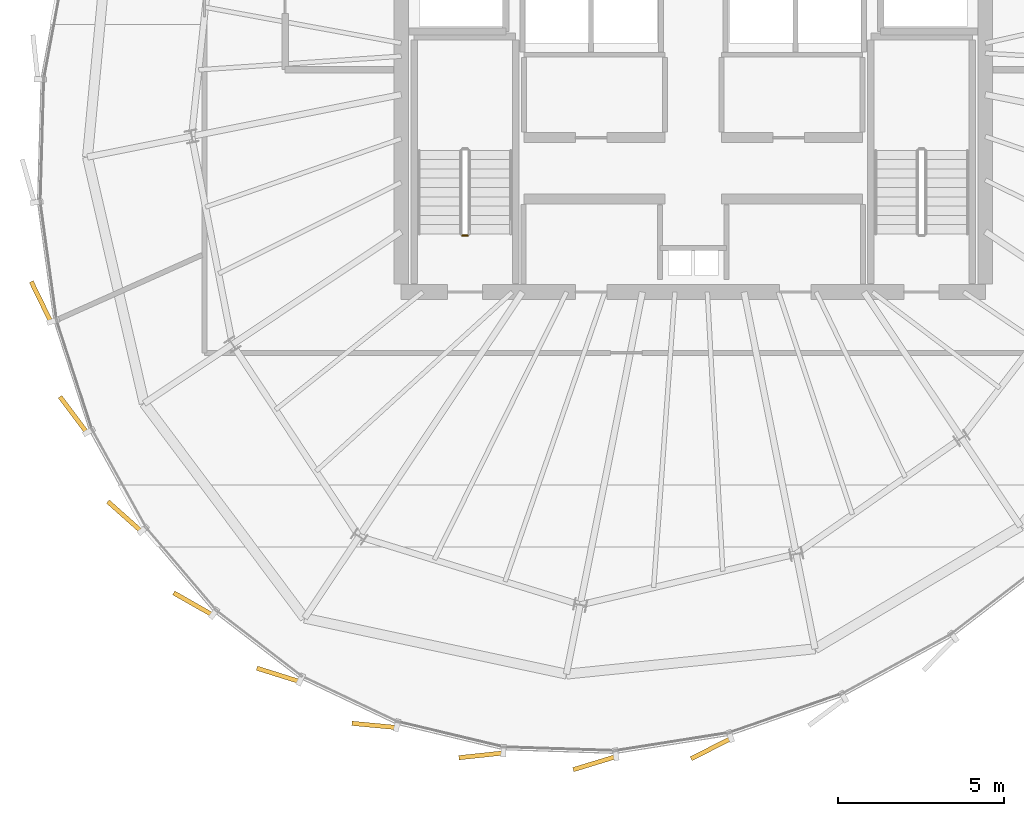
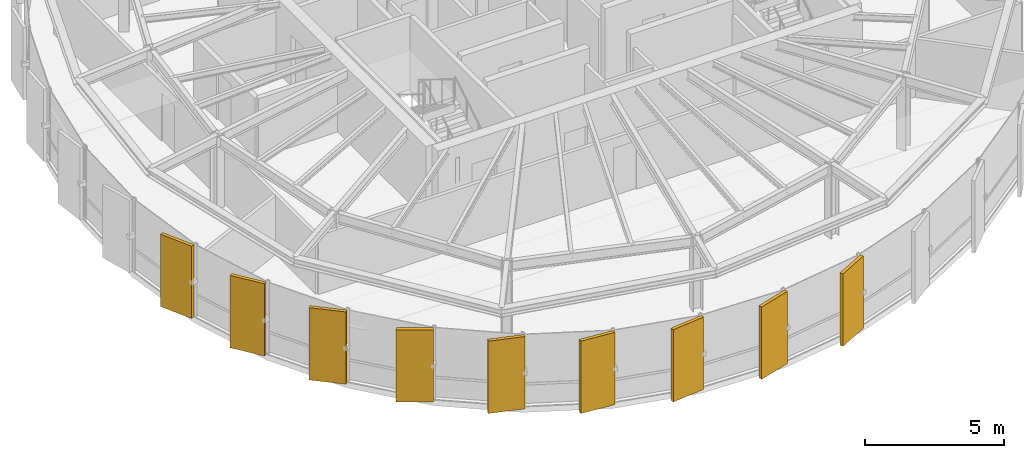
# One storey, part 28 of 31: 9 coverings, 1 railing.
"""IFC4 building model written with IfcOpenShell, lengths in metres."""

import ifcopenshell
import ifcopenshell.guid

model = None  # the IFC model being written
_history = None  # IfcOwnerHistory: only IFC2X3 demands one
_inside = {}  # id of a spatial element -> (the spatial element, [elements in it])
_under = {}  # id of a project, library or spatial element -> (it, [spatial elements below it])
_declared = {}  # id of a project -> (the project, [libraries it declares])
_typed = {}  # id of a type object -> (the type object, [elements of that type])
_made_of = {}  # id of a material, layer set ... -> (it, [elements and type objects made of it])


def new_model(schema):
    """Start an empty IFC model of exactly this schema.

    Asked for "IFC4X3", IfcOpenShell would pick the latest addendum, in which some entities
    have other attributes; the version numbers below select the first issue.
    IFC2X3 requires an IfcOwnerHistory on every rooted entity: one is made here for all.
    """
    global model, _history
    if schema == "IFC4X3":
        model = ifcopenshell.file(schema_version=(4, 3, 0, 0))
    else:
        model = ifcopenshell.file(schema=schema)
    _inside.clear()
    _under.clear()
    _declared.clear()
    _typed.clear()
    _made_of.clear()
    _history = None
    if model.schema == "IFC2X3":
        org = make("IfcOrganization", Name="unknown")
        user = make(
            "IfcPersonAndOrganization",
            ThePerson=make("IfcPerson", FamilyName="unknown"),
            TheOrganization=org,
        )
        app = make(
            "IfcApplication",
            ApplicationDeveloper=org,
            Version="unknown",
            ApplicationFullName="unknown",
            ApplicationIdentifier="unknown",
        )
        _history = make(
            "IfcOwnerHistory",
            OwningUser=user,
            OwningApplication=app,
            ChangeAction="ADDED",
            CreationDate=0,
        )
    return model


def make(cls, **values):
    """One entity of the class cls with the attributes given. An attribute that is None is left unset."""
    return model.create_entity(
        cls, **{name: value for name, value in values.items() if value is not None}
    )


def rooted(cls, **values):
    """An entity with a GlobalId (a new one), such as an element, a storey or a relation."""
    return make(cls, GlobalId=ifcopenshell.guid.new(), OwnerHistory=_history, **values)


def si_unit(unit_type, name, prefix=None):
    """IfcSIUnit, for example si_unit("LENGTHUNIT", "METRE", prefix="MILLI")."""
    return make("IfcSIUnit", UnitType=unit_type, Prefix=prefix, Name=name)


def assignment(units):
    """IfcUnitAssignment: the units of a project."""
    return None if units is None else make("IfcUnitAssignment", Units=units)


def point(xyz):
    """IfcCartesianPoint."""
    return None if xyz is None else make("IfcCartesianPoint", Coordinates=xyz)


def direction(xyz):
    """IfcDirection."""
    return None if xyz is None else make("IfcDirection", DirectionRatios=xyz)


def frame(location, z_axis=None, x_axis=None):
    """IfcAxis2Placement3D, a coordinate frame: its origin and axes. An axis left out is left unset."""
    return make(
        "IfcAxis2Placement3D",
        Location=point(location),
        Axis=direction(z_axis),
        RefDirection=direction(x_axis),
    )


def frame_2d(location, x_axis=None):
    """IfcAxis2Placement2D, a coordinate frame in the plane: its origin and x axis."""
    return make(
        "IfcAxis2Placement2D", Location=point(location), RefDirection=direction(x_axis)
    )


def origin():
    """The frame at (0, 0, 0) with its axes left unset."""
    return frame((0.0, 0.0, 0.0))


def origin_2d():
    """The frame at (0, 0) in the plane with its x axis left unset."""
    return frame_2d((0.0, 0.0))


def place(relative_to, where):
    """IfcLocalPlacement: puts the frame where relative to a parent placement (None: the world)."""
    return make(
        "IfcLocalPlacement", PlacementRelTo=relative_to, RelativePlacement=where
    )


def context(
    kind, dimensions, precision=None, world=None, true_north=None, identifier=None
):
    """IfcGeometricRepresentationContext, for example the 3D "Model" context."""
    return make(
        "IfcGeometricRepresentationContext",
        ContextIdentifier=identifier,
        ContextType=kind,
        CoordinateSpaceDimension=dimensions,
        Precision=precision,
        WorldCoordinateSystem=world,
        TrueNorth=true_north,
    )


def subcontext(parent, identifier, kind, view, scale=None):
    """IfcGeometricRepresentationSubContext, for example "Body" below "Model"."""
    return make(
        "IfcGeometricRepresentationSubContext",
        ContextIdentifier=identifier,
        ContextType=kind,
        ParentContext=parent,
        TargetScale=scale,
        TargetView=view,
    )


def project(units=None, contexts=None):
    """IfcProject with its units and contexts."""
    return rooted(
        "IfcProject",
        Name="project",
        RepresentationContexts=contexts,
        UnitsInContext=assignment(units),
    )


def spatial(cls, under=None, at=None, **own):
    """A site, building, storey or space (cls), placed at a placement, below another one or the project."""
    s = rooted(cls, ObjectPlacement=at, **own)
    if under is not None:
        _under.setdefault(under.id(), (under, []))[1].append(s)
    return s


def profile(cls, at=None, kind="AREA", **sizes):
    """A parametric profile (cls). Its sizes go by their IFC names, for example OverallWidth=200.0."""
    return make(cls, ProfileType=kind, Position=at, **sizes)


def rectangle(**sizes):
    """IfcRectangleProfileDef."""
    return profile("IfcRectangleProfileDef", **sizes)


def circle(**sizes):
    """IfcCircleProfileDef."""
    return profile("IfcCircleProfileDef", **sizes)


def extrude(swept, where, along, depth):
    """IfcExtrudedAreaSolid: the profile swept, set in the frame where, extruded along a direction by depth."""
    return make(
        "IfcExtrudedAreaSolid",
        SweptArea=swept,
        Position=where,
        ExtrudedDirection=direction(along),
        Depth=depth,
    )


def shape(context_of_items, identifier, shape_type, items):
    """IfcShapeRepresentation: the items that make up one representation, for example the "Body"."""
    return make(
        "IfcShapeRepresentation",
        ContextOfItems=context_of_items,
        RepresentationIdentifier=identifier,
        RepresentationType=shape_type,
        Items=items,
    )


def source(mapping_origin, context_of_items, identifier, shape_type, items):
    """IfcRepresentationMap: a shape defined once, which mapped items show again and again."""
    return make(
        "IfcRepresentationMap",
        MappingOrigin=mapping_origin,
        MappedRepresentation=shape(context_of_items, identifier, shape_type, items),
    )


def transform(
    local_origin,
    x_axis=None,
    y_axis=None,
    z_axis=None,
    scale=None,
    scale2=None,
    scale3=None,
    uniform=True,
):
    """IfcCartesianTransformationOperator3D, or its non-uniform kind. x_axis, y_axis, z_axis: its Axis1, 2, 3."""
    if uniform:
        return make(
            "IfcCartesianTransformationOperator3D",
            Axis1=direction(x_axis),
            Axis2=direction(y_axis),
            LocalOrigin=point(local_origin),
            Scale=scale,
            Axis3=direction(z_axis),
        )
    return make(
        "IfcCartesianTransformationOperator3DnonUniform",
        Axis1=direction(x_axis),
        Axis2=direction(y_axis),
        LocalOrigin=point(local_origin),
        Scale=scale,
        Axis3=direction(z_axis),
        Scale2=scale2,
        Scale3=scale3,
    )


def mapped(mapping_source, mapping_target):
    """IfcMappedItem: shows the shape of a source again, moved by a transform."""
    return make(
        "IfcMappedItem", MappingSource=mapping_source, MappingTarget=mapping_target
    )


def material(Name=None, Category=None):
    """IfcMaterial."""
    return make("IfcMaterial", Name=Name, Category=Category)


def layer(
    of_material, thickness, ventilated=None, Name=None, Category=None, Priority=None
):
    """IfcMaterialLayer: one layer of a wall or slab, of a material (None: an air gap)."""
    return make(
        "IfcMaterialLayer",
        Material=of_material,
        LayerThickness=thickness,
        IsVentilated=ventilated,
        Name=Name,
        Category=Category,
        Priority=Priority,
    )


def layer_set(layers, Name=None):
    """IfcMaterialLayerSet."""
    return make("IfcMaterialLayerSet", MaterialLayers=layers, LayerSetName=Name)


def made_of(thing, what):
    """Note that an element or type object is made of a material, layer set ...; save() writes the relation."""
    if what is not None:
        _made_of.setdefault(what.id(), (what, []))[1].append(thing)
    return thing


def type_object(cls, material=None, **own):
    """A type object (cls), such as IfcWallType, which elements share."""
    return made_of(rooted(cls, **own), material)


def element(
    cls,
    number,
    at=None,
    inside=None,
    cuts=None,
    type_object=None,
    material=None,
    context=None,
    identifier="Body",
    shape_type=None,
    held_by="IfcProductDefinitionShape",
    body=None,
    shapes=None,
    **own,
):
    """One element of the class cls, such as IfcWall. Its Tag is "e" and its number.

    at: its placement. inside: the storey or other place that contains it. cuts: it is an
    opening in that element (IfcRelVoidsElement). A single representation is given by context,
    identifier, shape_type and body (its items); several are given by shapes. held_by: the class
    of the entity that holds the representations. save() writes the other relations.
    """
    e = rooted(cls, Tag="e%d" % number, ObjectPlacement=at, **own)
    if body is not None:
        shapes = [shape(context, identifier, shape_type, body)]
    if shapes is not None:
        e.Representation = make(held_by, Representations=shapes)
    if inside is not None:
        _inside.setdefault(inside.id(), (inside, []))[1].append(e)
    if cuts is not None:
        rooted(
            "IfcRelVoidsElement", RelatingBuildingElement=cuts, RelatedOpeningElement=e
        )
    if type_object is not None:
        _typed.setdefault(type_object.id(), (type_object, []))[1].append(e)
    return made_of(e, material)


def aggregate(whole, parts):
    """IfcRelAggregates: a whole, such as a stair, and the parts it consists of."""
    return rooted("IfcRelAggregates", RelatingObject=whole, RelatedObjects=parts)


def save(model, path):
    """Write the relations noted so far, then the file.

    IfcRelAggregates (storeys below a building ...), IfcRelContainedInSpatialStructure (elements
    in a storey), IfcRelDefinesByType, IfcRelAssociatesMaterial and IfcRelDeclares: one each for
    every whole, place, type object, material and project.
    """
    for whole, parts in _under.values():
        aggregate(whole, parts)
    for where, things in _inside.values():
        rooted(
            "IfcRelContainedInSpatialStructure",
            RelatedElements=things,
            RelatingStructure=where,
        )
    for kind, things in _typed.values():
        rooted("IfcRelDefinesByType", RelatedObjects=things, RelatingType=kind)
    for what, things in _made_of.values():
        rooted("IfcRelAssociatesMaterial", RelatedObjects=things, RelatingMaterial=what)
    for by, libraries in _declared.values():
        rooted("IfcRelDeclares", RelatingContext=by, RelatedDefinitions=libraries)
    model.write(path)


model = new_model("IFC4")

# Units and contexts
model_context = context("Model", 3, precision=1e-05, world=origin(), true_north=direction((0.0, 1.0)))
body_context = subcontext(model_context, "Body", "Model", "MODEL_VIEW")
ifc_project = project(units=[si_unit("LENGTHUNIT", "METRE"), si_unit("AREAUNIT", "SQUARE_METRE"), si_unit("VOLUMEUNIT", "CUBIC_METRE"), si_unit("PLANEANGLEUNIT", "RADIAN"), si_unit("MASSUNIT", "GRAM", prefix="KILO"), si_unit("THERMODYNAMICTEMPERATUREUNIT", "KELVIN")], contexts=[model_context])

# Site, building, storey
site_placement = place(None, origin())
site = spatial("IfcSite", under=ifc_project, at=site_placement, CompositionType="ELEMENT")
building_placement = place(site_placement, origin())
building = spatial("IfcBuilding", under=site, at=building_placement, Name="Kethvar Cultural Tower", CompositionType="ELEMENT")
storey_placement = place(building_placement, frame((0.0, 0.0, 269.800048828125)))
storey = spatial("IfcBuildingStorey", under=building, at=storey_placement, Name="L71", CompositionType="ELEMENT", Elevation=269.800048828125)

# Railing
ifc_material_1 = material(Name="Steel S355J2", Category="steel")
railing_type = type_object("IfcRailingType", Name="RL-STAIR-GUARD", PredefinedType="BALUSTRADE", material=ifc_material_1)
railing_placement = place(storey_placement, frame((40.0, 21.800048828125, 0.0)))
element("IfcRailing", 1, at=railing_placement, inside=storey, type_object=railing_type, Name="L71 ST-01 stair guard 4", PredefinedType="BALUSTRADE", context=body_context, shape_type="SweptSolid", body=[
    extrude(circle(Radius=0.02392578125, at=origin_2d()), frame((0.0, 0.0, 1.09619140625), z_axis=(-1.0, 0.0, 0.0), x_axis=(0.0, -1.0, 0.0)), (0.0, 0.0, 1.0), 0.159912109375),
    extrude(circle(Radius=0.02099609375, at=origin_2d()), origin(), (0.0, 0.0, 1.0), 1.072021484375),
    extrude(circle(Radius=0.02099609375, at=origin_2d()), frame((-0.159912109375, 0.0, 0.0)), (0.0, 0.0, 1.0), 1.072021484375),
])

# Coverings
ifc_material_2 = material(Name="Extruded Architectural Terracotta", Category="masonry")
ifc_layer = layer(ifc_material_2, 0.135009765625, Name="Extruded Architectural Terracotta", Category="masonry")
ifc_layer_set = layer_set([ifc_layer], Name="Extruded Architectural Terracotta (135 mm)")
covering_type = type_object("IfcCoveringType", Name="Terracotta Facade Fin FIN-03", PredefinedType="CLADDING", material=ifc_layer_set)
shared_shape = source(origin(), body_context, "Body", "SweptSolid", [
    extrude(rectangle(XDim=1.35009765625, YDim=0.135009765625, at=origin_2d()), origin(), (0.0, 0.0, 1.0), 3.169921875),
])
for number, where, z_axis, x_axis, name in (
    (2, (27.145263671875, 19.80615234375, 0.02001953125), (0.0, 0.0, 1.0), (-0.438371146789, 0.898794046299, 0.0), "L71 Vertical Terracotta Fin 3.3"),
    (3, (28.121826171875, 16.40234375, 0.02001953125), (0.0, 0.0, 1.0), (-0.600001429133, 0.799998928149, 0.0), "L71 Vertical Terracotta Fin 3.4"),
    (4, (29.6640625, 13.335693359375, 0.02001953125), (0.0, 0.0, 1.0), (-0.747798090499, 0.663926212652, 0.0), "L71 Vertical Terracotta Fin 3.5"),
    (5, (31.72998046875, 10.69921875, 0.02001953125), (0.0, 0.0, 1.0), (-0.86958112538, 0.493790103568, 0.0), "L71 Vertical Terracotta Fin 3.6"),
    (6, (34.29443359375, 8.5615234375, 0.02001953125), (0.0, 0.0, 1.0), (-0.954188121518, 0.299207334056, 0.0), "L71 Vertical Terracotta Fin 4.1"),
    (7, (37.18505859375, 7.03857421875, 0.02001953125), (0.0, 0.0, 1.0), (-0.995561964603, 0.094108313319, 0.0), "L71 Vertical Terracotta Fin 4.2"),
    (8, (40.408203125, 6.136962890625, 0.02001953125), (0.0, 0.0, 1.0), (-0.994282168096, -0.106784690876, 0.0), "L71 Vertical Terracotta Fin 4.3"),
    (9, (43.8291015625, 5.902587890625, 0.02001953125), (0.0, 0.0, 1.0), (-0.956304755963, -0.292371704723, 0.0), "L71 Vertical Terracotta Fin 4.4"),
    (10, (47.338623046875, 6.341796875, 0.02001953125), (0.0, 0.0, 1.0), (-0.889735271073, -0.456476885952, 0.0), "L71 Vertical Terracotta Fin 4.5"),
):
    element("IfcCovering", number, at=place(storey_placement, frame(where, z_axis=z_axis, x_axis=x_axis)), inside=storey, type_object=covering_type, Name=name, PredefinedType="CLADDING", context=body_context, shape_type="MappedRepresentation", body=[
        mapped(shared_shape, transform((0.0, 0.0, 0.0), scale=1.0)),
    ])

save(model, "model.ifc")
